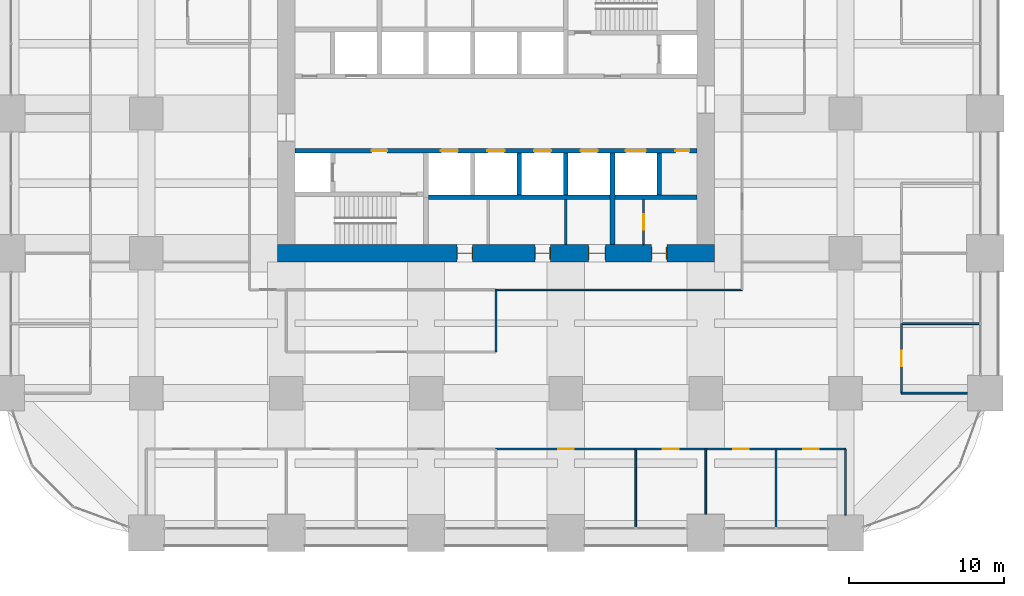
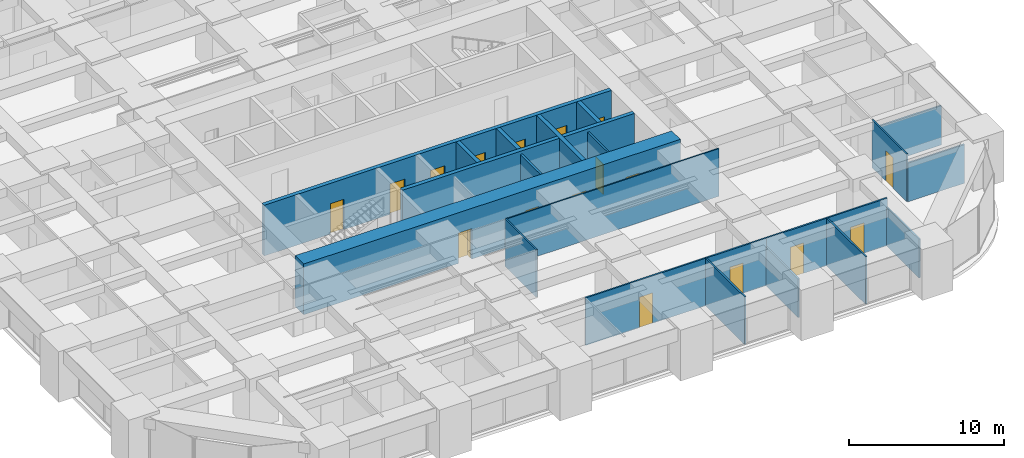
# One storey, part 40 of 45: 22 walls, 17 doors, 17 openings.
"""IFC4 building model written with IfcOpenShell, lengths in metres."""

from ifc_helpers import new_model, si_unit, direction, frame, frame_2d, origin, place, context, subcontext, project, spatial, rectangle, extrude, material, layer, layer_set, type_object, element, fill, save


model = new_model("IFC4")

# Units and contexts
model_context = context("Model", 3, precision=1e-05, world=origin(), true_north=direction((0.0, 1.0)))
body_context = subcontext(model_context, "Body", "Model", "MODEL_VIEW")
ifc_project = project(units=[si_unit("LENGTHUNIT", "METRE"), si_unit("AREAUNIT", "SQUARE_METRE"), si_unit("VOLUMEUNIT", "CUBIC_METRE"), si_unit("PLANEANGLEUNIT", "RADIAN"), si_unit("MASSUNIT", "GRAM", prefix="KILO")], contexts=[model_context])

# Site, building, storey
site_placement = place(None, origin())
site = spatial("IfcSite", under=ifc_project, at=site_placement, CompositionType="ELEMENT")
building_placement = place(site_placement, origin())
building = spatial("IfcBuilding", under=site, at=building_placement, Name="Zorevar Civic Tower", CompositionType="ELEMENT")
storey_placement = place(building_placement, frame((0.0, 0.0, 71.800048828125)))
storey = spatial("IfcBuildingStorey", under=building, at=storey_placement, Name="L17", CompositionType="ELEMENT", Elevation=71.800048828125)

# Wall, openings, doors
ifc_material_1 = material(Name="Concrete C50/60", Category="concrete")
ifc_layer_1 = layer(ifc_material_1, 1.10009765625)
ifc_layer_set_1 = layer_set([ifc_layer_1], Name="Core wall 1100")
wall_type_1 = type_object("IfcWallType", Name="Core wall 1100", PredefinedType="SHEAR", material=ifc_layer_set_1)
wall_1_placement = place(storey_placement, frame((17.449951171875, 18.0, 0.0), z_axis=(0.0, 0.0, 1.0), x_axis=(1.0, 0.0, 0.0)))
wall_1 = element("IfcWall", 1, at=wall_1_placement, inside=storey, type_object=wall_type_1, Name="Core wall S L17", PredefinedType="SHEAR", context=body_context, shape_type="SweptSolid", body=[
    extrude(rectangle(XDim=28.10009765625, YDim=1.10009765625, at=frame_2d((14.050048828125, 0.0))), origin(), (0.0, 0.0, 1.0), 4.0),
])
opening_1_placement = place(wall_1_placement, frame((11.550048828125, 0.0, 0.0)))
opening_1 = element("IfcOpeningElement", 2, at=opening_1_placement, cuts=wall_1, Name="Opening L17.03", PredefinedType="OPENING", context=body_context, shape_type="SweptSolid", body=[
    extrude(rectangle(XDim=1.0, YDim=2.39990234375, at=frame_2d((0.5, 1.199951171875))), frame((0.0, 0.56005859375, 0.0), z_axis=(0.0, -1.0, 0.0), x_axis=(1.0, 0.0, 0.0)), (0.0, 0.0, 1.0), 1.1201171875),
])
opening_2_placement = place(wall_1_placement, frame((16.550048828125, 0.0, 0.0)))
opening_2 = element("IfcOpeningElement", 3, at=opening_2_placement, cuts=wall_1, Name="Opening L17.04", PredefinedType="OPENING", context=body_context, shape_type="SweptSolid", body=[
    extrude(rectangle(XDim=1.0, YDim=2.39990234375, at=frame_2d((0.5, 1.199951171875))), frame((0.0, 0.56005859375, 0.0), z_axis=(0.0, -1.0, 0.0), x_axis=(1.0, 0.0, 0.0)), (0.0, 0.0, 1.0), 1.1201171875),
])
opening_3_placement = place(wall_1_placement, frame((20.0, 0.0, 0.0)))
opening_3 = element("IfcOpeningElement", 4, at=opening_3_placement, cuts=wall_1, Name="Opening L17.05", PredefinedType="OPENING", context=body_context, shape_type="SweptSolid", body=[
    extrude(rectangle(XDim=1.10009765625, YDim=2.39990234375, at=frame_2d((0.550048828125, 1.199951171875))), frame((0.0, 0.56005859375, 0.0), z_axis=(0.0, -1.0, 0.0), x_axis=(1.0, 0.0, 0.0)), (0.0, 0.0, 1.0), 1.1201171875),
])
opening_4_placement = place(wall_1_placement, frame((24.050048828125, 0.0, 0.0)))
opening_4 = element("IfcOpeningElement", 5, at=opening_4_placement, cuts=wall_1, Name="Opening L17.06", PredefinedType="OPENING", context=body_context, shape_type="SweptSolid", body=[
    extrude(rectangle(XDim=1.0, YDim=2.39990234375, at=frame_2d((0.5, 1.199951171875))), frame((0.0, 0.56005859375, 0.0), z_axis=(0.0, -1.0, 0.0), x_axis=(1.0, 0.0, 0.0)), (0.0, 0.0, 1.0), 1.1201171875),
])
ifc_material_2 = material(Name="Timber door set", Category="wood")
door_type_1 = type_object("IfcDoorType", Name="Door D1 1000x2400", OperationType="SINGLE_SWING_LEFT", PredefinedType="DOOR", material=ifc_material_2)
door_1_placement = place(opening_1_placement, origin())
door_1 = element("IfcDoor", 6, at=door_1_placement, inside=storey, type_object=door_type_1, Name="Door L17 02", OperationType="SINGLE_SWING_RIGHT", OverallHeight=2.39990234375, OverallWidth=1.0, PredefinedType="DOOR", context=body_context, shape_type="SweptSolid", body=[
    extrude(rectangle(XDim=1.0, YDim=2.39990234375, at=frame_2d((0.5, 1.199951171875))), frame((0.0, 0.02490234375, 0.0), z_axis=(0.0, -1.0, 0.0), x_axis=(1.0, 0.0, 0.0)), (0.0, 0.0, 1.0), 0.050048828125),
    extrude(rectangle(XDim=0.04, YDim=2.39990234375, at=frame_2d((0.02001953125, 1.199951171875))), frame((0.0, 0.39990234375, 0.0), z_axis=(0.0, -1.0, 0.0), x_axis=(1.0, 0.0, 0.0)), (0.0, 0.0, 1.0), 0.800048828125),
    extrude(rectangle(XDim=0.04, YDim=2.39990234375, at=frame_2d((0.97998046875, 1.199951171875))), frame((0.0, 0.39990234375, 0.0), z_axis=(0.0, -1.0, 0.0), x_axis=(1.0, 0.0, 0.0)), (0.0, 0.0, 1.0), 0.800048828125),
    extrude(rectangle(XDim=1.0, YDim=0.04, at=frame_2d((0.5, 2.3798828125))), frame((0.0, 0.39990234375, 0.0), z_axis=(0.0, -1.0, 0.0), x_axis=(1.0, 0.0, 0.0)), (0.0, 0.0, 1.0), 0.800048828125),
])
fill(opening_1, door_1)
door_2_placement = place(opening_2_placement, origin())
door_2 = element("IfcDoor", 7, at=door_2_placement, inside=storey, type_object=door_type_1, Name="Door L17 03", OperationType="SINGLE_SWING_LEFT", OverallHeight=2.39990234375, OverallWidth=1.0, PredefinedType="DOOR", context=body_context, shape_type="SweptSolid", body=[
    extrude(rectangle(XDim=1.0, YDim=2.39990234375, at=frame_2d((0.5, 1.199951171875))), frame((0.0, 0.02490234375, 0.0), z_axis=(0.0, -1.0, 0.0), x_axis=(1.0, 0.0, 0.0)), (0.0, 0.0, 1.0), 0.050048828125),
    extrude(rectangle(XDim=0.04, YDim=2.39990234375, at=frame_2d((0.02001953125, 1.199951171875))), frame((0.0, 0.39990234375, 0.0), z_axis=(0.0, -1.0, 0.0), x_axis=(1.0, 0.0, 0.0)), (0.0, 0.0, 1.0), 0.800048828125),
    extrude(rectangle(XDim=0.04, YDim=2.39990234375, at=frame_2d((0.97998046875, 1.199951171875))), frame((0.0, 0.39990234375, 0.0), z_axis=(0.0, -1.0, 0.0), x_axis=(1.0, 0.0, 0.0)), (0.0, 0.0, 1.0), 0.800048828125),
    extrude(rectangle(XDim=1.0, YDim=0.04, at=frame_2d((0.5, 2.3798828125))), frame((0.0, 0.39990234375, 0.0), z_axis=(0.0, -1.0, 0.0), x_axis=(1.0, 0.0, 0.0)), (0.0, 0.0, 1.0), 0.800048828125),
])
fill(opening_2, door_2)
door_3_placement = place(opening_4_placement, origin())
door_3 = element("IfcDoor", 8, at=door_3_placement, inside=storey, type_object=door_type_1, Name="Door L17 05", OperationType="SINGLE_SWING_LEFT", OverallHeight=2.39990234375, OverallWidth=1.0, PredefinedType="DOOR", context=body_context, shape_type="SweptSolid", body=[
    extrude(rectangle(XDim=1.0, YDim=2.39990234375, at=frame_2d((0.5, 1.199951171875))), frame((0.0, 0.02490234375, 0.0), z_axis=(0.0, -1.0, 0.0), x_axis=(1.0, 0.0, 0.0)), (0.0, 0.0, 1.0), 0.050048828125),
    extrude(rectangle(XDim=0.04, YDim=2.39990234375, at=frame_2d((0.02001953125, 1.199951171875))), frame((0.0, 0.39990234375, 0.0), z_axis=(0.0, -1.0, 0.0), x_axis=(1.0, 0.0, 0.0)), (0.0, 0.0, 1.0), 0.800048828125),
    extrude(rectangle(XDim=0.04, YDim=2.39990234375, at=frame_2d((0.97998046875, 1.199951171875))), frame((0.0, 0.39990234375, 0.0), z_axis=(0.0, -1.0, 0.0), x_axis=(1.0, 0.0, 0.0)), (0.0, 0.0, 1.0), 0.800048828125),
    extrude(rectangle(XDim=1.0, YDim=0.04, at=frame_2d((0.5, 2.3798828125))), frame((0.0, 0.39990234375, 0.0), z_axis=(0.0, -1.0, 0.0), x_axis=(1.0, 0.0, 0.0)), (0.0, 0.0, 1.0), 0.800048828125),
])
fill(opening_4, door_3)
ifc_material_3 = material(Name="Timber door set", Category="wood")
door_type_2 = type_object("IfcDoorType", Name="Door D5 1100x2400", OperationType="SINGLE_SWING_LEFT", PredefinedType="DOOR", material=ifc_material_3)
door_4_placement = place(opening_3_placement, origin())
door_4 = element("IfcDoor", 9, at=door_4_placement, inside=storey, type_object=door_type_2, Name="Door L17 04", OperationType="SINGLE_SWING_LEFT", OverallHeight=2.39990234375, OverallWidth=1.10009765625, PredefinedType="DOOR", context=body_context, shape_type="SweptSolid", body=[
    extrude(rectangle(XDim=1.10009765625, YDim=2.39990234375, at=frame_2d((0.550048828125, 1.199951171875))), frame((0.0, 0.02490234375, 0.0), z_axis=(0.0, -1.0, 0.0), x_axis=(1.0, 0.0, 0.0)), (0.0, 0.0, 1.0), 0.050048828125),
    extrude(rectangle(XDim=0.04, YDim=2.39990234375, at=frame_2d((0.02001953125, 1.199951171875))), frame((0.0, 0.43994140625, 0.0), z_axis=(0.0, -1.0, 0.0), x_axis=(1.0, 0.0, 0.0)), (0.0, 0.0, 1.0), 0.880126953125),
    extrude(rectangle(XDim=0.04, YDim=2.39990234375, at=frame_2d((1.080078125, 1.199951171875))), frame((0.0, 0.43994140625, 0.0), z_axis=(0.0, -1.0, 0.0), x_axis=(1.0, 0.0, 0.0)), (0.0, 0.0, 1.0), 0.880126953125),
    extrude(rectangle(XDim=1.10009765625, YDim=0.04, at=frame_2d((0.550048828125, 2.3798828125))), frame((0.0, 0.43994140625, 0.0), z_axis=(0.0, -1.0, 0.0), x_axis=(1.0, 0.0, 0.0)), (0.0, 0.0, 1.0), 0.880126953125),
])
fill(opening_3, door_4)

# Wall
ifc_material_4 = material(Name="Laminated glass in black aluminium frame", Category="aluminium")
ifc_layer_2 = layer(ifc_material_4, 0.10009765625)
ifc_layer_set_2 = layer_set([ifc_layer_2], Name="Glazed partition 100")
wall_type_2 = type_object("IfcWallType", Name="Glazed partition 100", PredefinedType="PARTITIONING", material=ifc_layer_set_2)
wall_2_placement = place(storey_placement, frame((31.5, 15.64990234375, 0.0), z_axis=(0.0, 0.0, 1.0), x_axis=(1.0, 0.0, 0.0)))
element("IfcWall", 10, at=wall_2_placement, inside=storey, type_object=wall_type_2, Name="Glazed partition 100 L17", PredefinedType="PARTITIONING", context=body_context, shape_type="SweptSolid", body=[
    extrude(rectangle(XDim=15.85009765625, YDim=0.10009765625, at=frame_2d((7.925048828125, 0.0))), origin(), (0.0, 0.0, 1.0), 3.75),
])

# Wall, openings, doors
ifc_material_5 = material(Name="Concrete C40/50", Category="concrete")
ifc_layer_3 = layer(ifc_material_5, 0.300048828125)
ifc_layer_set_3 = layer_set([ifc_layer_3], Name="Inner core wall 300")
wall_type_3 = type_object("IfcWallType", Name="Inner core wall 300", PredefinedType="SHEAR", material=ifc_layer_set_3)
wall_3_placement = place(storey_placement, frame((18.550048828125, 24.60009765625, 0.0), z_axis=(0.0, 0.0, 1.0), x_axis=(1.0, 0.0, 0.0)))
wall_3 = element("IfcWall", 11, at=wall_3_placement, inside=storey, type_object=wall_type_3, Name="Inner core wall S03 L17", PredefinedType="SHEAR", context=body_context, shape_type="SweptSolid", body=[
    extrude(rectangle(XDim=25.89990234375, YDim=0.300048828125, at=frame_2d((12.949951171875, 0.0))), origin(), (0.0, 0.0, 1.0), 4.0),
])
opening_5_placement = place(wall_3_placement, frame((4.949951171875, 0.0, 0.0)))
opening_5 = element("IfcOpeningElement", 12, at=opening_5_placement, cuts=wall_3, Name="Opening L17.13", PredefinedType="OPENING", context=body_context, shape_type="SweptSolid", body=[
    extrude(rectangle(XDim=1.0, YDim=2.39990234375, at=frame_2d((0.5, 1.199951171875))), frame((0.0, 0.159912109375, 0.0), z_axis=(0.0, -1.0, 0.0), x_axis=(1.0, 0.0, 0.0)), (0.0, 0.0, 1.0), 0.320068359375),
])
opening_6_placement = place(wall_3_placement, frame((24.5, 0.0, 0.0)))
opening_6 = element("IfcOpeningElement", 13, at=opening_6_placement, cuts=wall_3, Name="Opening L17.15", PredefinedType="OPENING", context=body_context, shape_type="SweptSolid", body=[
    extrude(rectangle(XDim=0.89990234375, YDim=2.10009765625, at=frame_2d((0.449951171875, 1.050048828125))), frame((0.0, 0.159912109375, 0.0), z_axis=(0.0, -1.0, 0.0), x_axis=(1.0, 0.0, 0.0)), (0.0, 0.0, 1.0), 0.320068359375),
])
opening_7_placement = place(wall_3_placement, frame((9.39990234375, 0.0, 0.0)))
opening_7 = element("IfcOpeningElement", 14, at=opening_7_placement, cuts=wall_3, Name="Opening L17.LP1", PredefinedType="OPENING", context=body_context, shape_type="SweptSolid", body=[
    extrude(rectangle(XDim=1.10009765625, YDim=2.39990234375, at=frame_2d((0.550048828125, 1.199951171875))), frame((0.0, 0.159912109375, 0.0), z_axis=(0.0, -1.0, 0.0), x_axis=(1.0, 0.0, 0.0)), (0.0, 0.0, 1.0), 0.320068359375),
])
opening_8_placement = place(wall_3_placement, frame((12.39990234375, 0.0, 0.0)))
opening_8 = element("IfcOpeningElement", 15, at=opening_8_placement, cuts=wall_3, Name="Opening L17.LP2", PredefinedType="OPENING", context=body_context, shape_type="SweptSolid", body=[
    extrude(rectangle(XDim=1.10009765625, YDim=2.39990234375, at=frame_2d((0.550048828125, 1.199951171875))), frame((0.0, 0.159912109375, 0.0), z_axis=(0.0, -1.0, 0.0), x_axis=(1.0, 0.0, 0.0)), (0.0, 0.0, 1.0), 0.320068359375),
])
opening_9_placement = place(wall_3_placement, frame((15.39990234375, 0.0, 0.0)))
opening_9 = element("IfcOpeningElement", 16, at=opening_9_placement, cuts=wall_3, Name="Opening L17.LP3", PredefinedType="OPENING", context=body_context, shape_type="SweptSolid", body=[
    extrude(rectangle(XDim=1.10009765625, YDim=2.39990234375, at=frame_2d((0.550048828125, 1.199951171875))), frame((0.0, 0.159912109375, 0.0), z_axis=(0.0, -1.0, 0.0), x_axis=(1.0, 0.0, 0.0)), (0.0, 0.0, 1.0), 0.320068359375),
])
opening_10_placement = place(wall_3_placement, frame((18.39990234375, 0.0, 0.0)))
opening_10 = element("IfcOpeningElement", 17, at=opening_10_placement, cuts=wall_3, Name="Opening L17.LP4", PredefinedType="OPENING", context=body_context, shape_type="SweptSolid", body=[
    extrude(rectangle(XDim=1.10009765625, YDim=2.39990234375, at=frame_2d((0.550048828125, 1.199951171875))), frame((0.0, 0.159912109375, 0.0), z_axis=(0.0, -1.0, 0.0), x_axis=(1.0, 0.0, 0.0)), (0.0, 0.0, 1.0), 0.320068359375),
])
opening_11_placement = place(wall_3_placement, frame((21.300048828125, 0.0, 0.0)))
opening_11 = element("IfcOpeningElement", 18, at=opening_11_placement, cuts=wall_3, Name="Opening L17.SL1", PredefinedType="OPENING", context=body_context, shape_type="SweptSolid", body=[
    extrude(rectangle(XDim=1.300048828125, YDim=2.39990234375, at=frame_2d((0.64990234375, 1.199951171875))), frame((0.0, 0.159912109375, 0.0), z_axis=(0.0, -1.0, 0.0), x_axis=(1.0, 0.0, 0.0)), (0.0, 0.0, 1.0), 0.320068359375),
])
ifc_material_6 = material(Name="Steel door set", Category="steel")
door_type_3 = type_object("IfcDoorType", Name="Fire door FD1 1000x2400", OperationType="SINGLE_SWING_LEFT", PredefinedType="DOOR", material=ifc_material_6)
door_5_placement = place(opening_5_placement, origin())
door_5 = element("IfcDoor", 19, at=door_5_placement, inside=storey, type_object=door_type_3, Name="Door L17 12", OperationType="SINGLE_SWING_RIGHT", OverallHeight=2.39990234375, OverallWidth=1.0, PredefinedType="DOOR", context=body_context, shape_type="SweptSolid", body=[
    extrude(rectangle(XDim=1.0, YDim=2.39990234375, at=frame_2d((0.5, 1.199951171875))), frame((0.0, 0.030029296875, 0.0), z_axis=(0.0, -1.0, 0.0), x_axis=(1.0, 0.0, 0.0)), (0.0, 0.0, 1.0), 0.06005859375),
])
fill(opening_5, door_5)
ifc_material_7 = material(Name="Steel door set", Category="steel")
door_type_4 = type_object("IfcDoorType", Name="Landing door LD1 1100x2400", OperationType="DOUBLE_DOOR_SLIDING", PredefinedType="DOOR", material=ifc_material_7)
door_6_placement = place(opening_7_placement, origin())
door_6 = element("IfcDoor", 20, at=door_6_placement, inside=storey, type_object=door_type_4, Name="Landing door LP1 L17", OperationType="DOUBLE_DOOR_SLIDING", OverallHeight=2.39990234375, OverallWidth=1.10009765625, PredefinedType="DOOR", context=body_context, shape_type="SweptSolid", body=[
    extrude(rectangle(XDim=1.10009765625, YDim=2.39990234375, at=frame_2d((0.550048828125, 1.199951171875))), frame((0.0, 0.02001953125, 0.0), z_axis=(0.0, -1.0, 0.0), x_axis=(1.0, 0.0, 0.0)), (0.0, 0.0, 1.0), 0.0400390625),
])
fill(opening_7, door_6)
door_7_placement = place(opening_8_placement, origin())
door_7 = element("IfcDoor", 21, at=door_7_placement, inside=storey, type_object=door_type_4, Name="Landing door LP2 L17", OperationType="DOUBLE_DOOR_SLIDING", OverallHeight=2.39990234375, OverallWidth=1.10009765625, PredefinedType="DOOR", context=body_context, shape_type="SweptSolid", body=[
    extrude(rectangle(XDim=1.10009765625, YDim=2.39990234375, at=frame_2d((0.550048828125, 1.199951171875))), frame((0.0, 0.02001953125, 0.0), z_axis=(0.0, -1.0, 0.0), x_axis=(1.0, 0.0, 0.0)), (0.0, 0.0, 1.0), 0.0400390625),
])
fill(opening_8, door_7)
door_8_placement = place(opening_9_placement, origin())
door_8 = element("IfcDoor", 22, at=door_8_placement, inside=storey, type_object=door_type_4, Name="Landing door LP3 L17", OperationType="DOUBLE_DOOR_SLIDING", OverallHeight=2.39990234375, OverallWidth=1.10009765625, PredefinedType="DOOR", context=body_context, shape_type="SweptSolid", body=[
    extrude(rectangle(XDim=1.10009765625, YDim=2.39990234375, at=frame_2d((0.550048828125, 1.199951171875))), frame((0.0, 0.02001953125, 0.0), z_axis=(0.0, -1.0, 0.0), x_axis=(1.0, 0.0, 0.0)), (0.0, 0.0, 1.0), 0.0400390625),
])
fill(opening_9, door_8)
door_9_placement = place(opening_10_placement, origin())
door_9 = element("IfcDoor", 23, at=door_9_placement, inside=storey, type_object=door_type_4, Name="Landing door LP4 L17", OperationType="DOUBLE_DOOR_SLIDING", OverallHeight=2.39990234375, OverallWidth=1.10009765625, PredefinedType="DOOR", context=body_context, shape_type="SweptSolid", body=[
    extrude(rectangle(XDim=1.10009765625, YDim=2.39990234375, at=frame_2d((0.550048828125, 1.199951171875))), frame((0.0, 0.02001953125, 0.0), z_axis=(0.0, -1.0, 0.0), x_axis=(1.0, 0.0, 0.0)), (0.0, 0.0, 1.0), 0.0400390625),
])
fill(opening_10, door_9)
ifc_material_8 = material(Name="Steel door set", Category="steel")
door_type_5 = type_object("IfcDoorType", Name="Landing door LD2 1300x2400", OperationType="DOUBLE_DOOR_SLIDING", PredefinedType="DOOR", material=ifc_material_8)
door_10_placement = place(opening_11_placement, origin())
door_10 = element("IfcDoor", 24, at=door_10_placement, inside=storey, type_object=door_type_5, Name="Landing door SL1 L17", OperationType="DOUBLE_DOOR_SLIDING", OverallHeight=2.39990234375, OverallWidth=1.300048828125, PredefinedType="DOOR", context=body_context, shape_type="SweptSolid", body=[
    extrude(rectangle(XDim=1.300048828125, YDim=2.39990234375, at=frame_2d((0.64990234375, 1.199951171875))), frame((0.0, 0.02001953125, 0.0), z_axis=(0.0, -1.0, 0.0), x_axis=(1.0, 0.0, 0.0)), (0.0, 0.0, 1.0), 0.0400390625),
])
fill(opening_11, door_10)
ifc_material_9 = material(Name="Steel door set", Category="steel")
door_type_6 = type_object("IfcDoorType", Name="Riser door RD1 900x2100", OperationType="SINGLE_SWING_LEFT", PredefinedType="DOOR", material=ifc_material_9)
door_11_placement = place(opening_6_placement, origin())
door_11 = element("IfcDoor", 25, at=door_11_placement, inside=storey, type_object=door_type_6, Name="Door L17 14", OperationType="SINGLE_SWING_RIGHT", OverallHeight=2.10009765625, OverallWidth=0.89990234375, PredefinedType="DOOR", context=body_context, shape_type="SweptSolid", body=[
    extrude(rectangle(XDim=0.89990234375, YDim=2.10009765625, at=frame_2d((0.449951171875, 1.050048828125))), frame((0.0, 0.030029296875, 0.0), z_axis=(0.0, -1.0, 0.0), x_axis=(1.0, 0.0, 0.0)), (0.0, 0.0, 1.0), 0.06005859375),
])
fill(opening_6, door_11)

# Walls
wall_4_placement = place(storey_placement, frame((27.14990234375, 21.60009765625, 0.0), z_axis=(0.0, 0.0, 1.0), x_axis=(1.0, 0.0, 0.0)))
element("IfcWall", 26, at=wall_4_placement, inside=storey, type_object=wall_type_3, Name="Inner core wall S04 L17", PredefinedType="SHEAR", context=body_context, shape_type="SweptSolid", body=[
    extrude(rectangle(XDim=17.300048828125, YDim=0.300048828125, at=frame_2d((8.64990234375, 0.0))), origin(), (0.0, 0.0, 1.0), 4.0),
])
for number, where, z_axis, x_axis, name in (
    (27, (33.0, 21.75, 0.0), (0.0, 0.0, 1.0), (0.0, 1.0, 0.0), "Inner core wall S06 L17"),
    (28, (36.0, 21.75, 0.0), (0.0, 0.0, 1.0), (0.0, 1.0, 0.0), "Inner core wall S07 L17"),
):
    element("IfcWall", number, at=place(storey_placement, frame(where, z_axis=z_axis, x_axis=x_axis)), inside=storey, type_object=wall_type_3, Name=name, PredefinedType="SHEAR", context=body_context, shape_type="SweptSolid", body=[
        extrude(rectangle(XDim=2.699951171875, YDim=0.300048828125, at=frame_2d((1.35009765625, 0.0))), origin(), (0.0, 0.0, 1.0), 4.0),
    ])
wall_5_placement = place(storey_placement, frame((39.0, 18.550048828125, 0.0), z_axis=(0.0, 0.0, 1.0), x_axis=(0.0, 1.0, 0.0)))
element("IfcWall", 29, at=wall_5_placement, inside=storey, type_object=wall_type_3, Name="Inner core wall S08 L17", PredefinedType="SHEAR", context=body_context, shape_type="SweptSolid", body=[
    extrude(rectangle(XDim=5.89990234375, YDim=0.300048828125, at=frame_2d((2.949951171875, 0.0))), origin(), (0.0, 0.0, 1.0), 4.0),
])
wall_6_placement = place(storey_placement, frame((42.0, 21.75, 0.0), z_axis=(0.0, 0.0, 1.0), x_axis=(0.0, 1.0, 0.0)))
element("IfcWall", 30, at=wall_6_placement, inside=storey, type_object=wall_type_3, Name="Inner core wall S09 L17", PredefinedType="SHEAR", context=body_context, shape_type="SweptSolid", body=[
    extrude(rectangle(XDim=2.699951171875, YDim=0.300048828125, at=frame_2d((1.35009765625, 0.0))), origin(), (0.0, 0.0, 1.0), 4.0),
])

# Wall, opening, door
ifc_material_10 = material(Name="Gypsum board on steel studs", Category="steel")
ifc_layer_4 = layer(ifc_material_10, 0.1201171875)
ifc_layer_set_4 = layer_set([ifc_layer_4], Name="Partition 120")
wall_type_4 = type_object("IfcWallType", Name="Partition 120", PredefinedType="PARTITIONING", material=ifc_layer_set_4)
wall_7_placement = place(storey_placement, frame((31.5, 5.39990234375, 0.0), z_axis=(0.0, 0.0, 1.0), x_axis=(1.0, 0.0, 0.0)))
wall_7 = element("IfcWall", 31, at=wall_7_placement, inside=storey, type_object=wall_type_4, Name="Partition 120 L17", PredefinedType="PARTITIONING", context=body_context, shape_type="SweptSolid", body=[
    extrude(rectangle(XDim=9.0, YDim=0.1201171875, at=frame_2d((4.5, 0.0))), origin(), (0.0, 0.0, 1.0), 3.75),
])
opening_12_placement = place(wall_7_placement, frame((4.0, 0.0, 0.0)))
opening_12 = element("IfcOpeningElement", 32, at=opening_12_placement, cuts=wall_7, Name="Opening L17.21", PredefinedType="OPENING", context=body_context, shape_type="SweptSolid", body=[
    extrude(rectangle(XDim=1.0, YDim=2.39990234375, at=frame_2d((0.5, 1.199951171875))), frame((0.0, 0.070068359375, 0.0), z_axis=(0.0, -1.0, 0.0), x_axis=(1.0, 0.0, 0.0)), (0.0, 0.0, 1.0), 0.14013671875),
])
door_12_placement = place(opening_12_placement, origin())
door_12 = element("IfcDoor", 33, at=door_12_placement, inside=storey, type_object=door_type_1, Name="Door L17 D1", OperationType="SINGLE_SWING_LEFT", OverallHeight=2.39990234375, OverallWidth=1.0, PredefinedType="DOOR", context=body_context, shape_type="SweptSolid", body=[
    extrude(rectangle(XDim=1.0, YDim=2.39990234375, at=frame_2d((0.5, 1.199951171875))), frame((0.0, 0.02490234375, 0.0), z_axis=(0.0, -1.0, 0.0), x_axis=(1.0, 0.0, 0.0)), (0.0, 0.0, 1.0), 0.050048828125),
])
fill(opening_12, door_12)

wall_8_placement = place(storey_placement, frame((40.5, 5.39990234375, 0.0), z_axis=(0.0, 0.0, 1.0), x_axis=(1.0, 0.0, 0.0)))
wall_8 = element("IfcWall", 34, at=wall_8_placement, inside=storey, type_object=wall_type_4, Name="Partition 120 L17", PredefinedType="PARTITIONING", context=body_context, shape_type="SweptSolid", body=[
    extrude(rectangle(XDim=4.5, YDim=0.1201171875, at=frame_2d((2.25, 0.0))), origin(), (0.0, 0.0, 1.0), 3.75),
])
opening_13_placement = place(wall_8_placement, frame((1.75, 0.0, 0.0)))
opening_13 = element("IfcOpeningElement", 35, at=opening_13_placement, cuts=wall_8, Name="Opening L17.22", PredefinedType="OPENING", context=body_context, shape_type="SweptSolid", body=[
    extrude(rectangle(XDim=1.0, YDim=2.39990234375, at=frame_2d((0.5, 1.199951171875))), frame((0.0, 0.070068359375, 0.0), z_axis=(0.0, -1.0, 0.0), x_axis=(1.0, 0.0, 0.0)), (0.0, 0.0, 1.0), 0.14013671875),
])
door_13_placement = place(opening_13_placement, origin())
door_13 = element("IfcDoor", 36, at=door_13_placement, inside=storey, type_object=door_type_1, Name="Door L17 D1", OperationType="SINGLE_SWING_LEFT", OverallHeight=2.39990234375, OverallWidth=1.0, PredefinedType="DOOR", context=body_context, shape_type="SweptSolid", body=[
    extrude(rectangle(XDim=1.0, YDim=2.39990234375, at=frame_2d((0.5, 1.199951171875))), frame((0.0, 0.02490234375, 0.0), z_axis=(0.0, -1.0, 0.0), x_axis=(1.0, 0.0, 0.0)), (0.0, 0.0, 1.0), 0.050048828125),
])
fill(opening_13, door_13)

wall_9_placement = place(storey_placement, frame((45.0, 5.39990234375, 0.0), z_axis=(0.0, 0.0, 1.0), x_axis=(1.0, 0.0, 0.0)))
wall_9 = element("IfcWall", 37, at=wall_9_placement, inside=storey, type_object=wall_type_4, Name="Partition 120 L17", PredefinedType="PARTITIONING", context=body_context, shape_type="SweptSolid", body=[
    extrude(rectangle(XDim=4.52490234375, YDim=0.1201171875, at=frame_2d((2.262451171875, 0.0))), origin(), (0.0, 0.0, 1.0), 3.75),
])
opening_14_placement = place(wall_9_placement, frame((1.762939453125, 0.0, 0.0)))
opening_14 = element("IfcOpeningElement", 38, at=opening_14_placement, cuts=wall_9, Name="Opening L17.23", PredefinedType="OPENING", context=body_context, shape_type="SweptSolid", body=[
    extrude(rectangle(XDim=1.0, YDim=2.39990234375, at=frame_2d((0.5, 1.199951171875))), frame((0.0, 0.070068359375, 0.0), z_axis=(0.0, -1.0, 0.0), x_axis=(1.0, 0.0, 0.0)), (0.0, 0.0, 1.0), 0.14013671875),
])
door_14_placement = place(opening_14_placement, origin())
door_14 = element("IfcDoor", 39, at=door_14_placement, inside=storey, type_object=door_type_1, Name="Door L17 D1", OperationType="SINGLE_SWING_LEFT", OverallHeight=2.39990234375, OverallWidth=1.0, PredefinedType="DOOR", context=body_context, shape_type="SweptSolid", body=[
    extrude(rectangle(XDim=1.0, YDim=2.39990234375, at=frame_2d((0.5, 1.199951171875))), frame((0.0, 0.02490234375, 0.0), z_axis=(0.0, -1.0, 0.0), x_axis=(1.0, 0.0, 0.0)), (0.0, 0.0, 1.0), 0.050048828125),
])
fill(opening_14, door_14)

wall_10_placement = place(storey_placement, frame((49.52490234375, 5.39990234375, 0.0), z_axis=(0.0, 0.0, 1.0), x_axis=(1.0, 0.0, 0.0)))
wall_10 = element("IfcWall", 40, at=wall_10_placement, inside=storey, type_object=wall_type_4, Name="Partition 120 L17", PredefinedType="PARTITIONING", context=body_context, shape_type="SweptSolid", body=[
    extrude(rectangle(XDim=4.47509765625, YDim=0.1201171875, at=frame_2d((2.237548828125, 0.0))), origin(), (0.0, 0.0, 1.0), 3.75),
])
opening_15_placement = place(wall_10_placement, frame((1.738037109375, 0.0, 0.0)))
opening_15 = element("IfcOpeningElement", 41, at=opening_15_placement, cuts=wall_10, Name="Opening L17.24", PredefinedType="OPENING", context=body_context, shape_type="SweptSolid", body=[
    extrude(rectangle(XDim=1.0, YDim=2.39990234375, at=frame_2d((0.5, 1.199951171875))), frame((0.0, 0.070068359375, 0.0), z_axis=(0.0, -1.0, 0.0), x_axis=(1.0, 0.0, 0.0)), (0.0, 0.0, 1.0), 0.14013671875),
])
door_15_placement = place(opening_15_placement, origin())
door_15 = element("IfcDoor", 42, at=door_15_placement, inside=storey, type_object=door_type_1, Name="Door L17 D1", OperationType="SINGLE_SWING_LEFT", OverallHeight=2.39990234375, OverallWidth=1.0, PredefinedType="DOOR", context=body_context, shape_type="SweptSolid", body=[
    extrude(rectangle(XDim=1.0, YDim=2.39990234375, at=frame_2d((0.5, 1.199951171875))), frame((0.0, 0.02490234375, 0.0), z_axis=(0.0, -1.0, 0.0), x_axis=(1.0, 0.0, 0.0)), (0.0, 0.0, 1.0), 0.050048828125),
])
fill(opening_15, door_15)

# Walls
wall_11_placement = place(storey_placement, frame((57.60009765625, 9.0, 0.0), z_axis=(0.0, 0.0, 1.0), x_axis=(1.0, 0.0, 0.0)))
element("IfcWall", 43, at=wall_11_placement, inside=storey, type_object=wall_type_4, Name="Partition 120 L17", PredefinedType="PARTITIONING", context=body_context, shape_type="SweptSolid", body=[
    extrude(rectangle(XDim=4.25, YDim=0.1201171875, at=frame_2d((2.125, 0.0))), origin(), (0.0, 0.0, 1.0), 3.050048828125),
])
wall_12_placement = place(storey_placement, frame((57.60009765625, 13.47509765625, 0.0), z_axis=(0.0, 0.0, 1.0), x_axis=(1.0, 0.0, 0.0)))
element("IfcWall", 44, at=wall_12_placement, inside=storey, type_object=wall_type_4, Name="Partition 120 L17", PredefinedType="PARTITIONING", context=body_context, shape_type="SweptSolid", body=[
    extrude(rectangle(XDim=5.08984375, YDim=0.1201171875, at=frame_2d((2.544921875, 0.0))), origin(), (0.0, 0.0, 1.0), 3.099853515625),
])
wall_13_placement = place(storey_placement, frame((31.5, 11.64990234375, 0.0), z_axis=(0.0, 0.0, 1.0), x_axis=(0.0, 1.0, 0.0)))
element("IfcWall", 45, at=wall_13_placement, inside=storey, type_object=wall_type_4, Name="Partition 120 L17", PredefinedType="PARTITIONING", context=body_context, shape_type="SweptSolid", body=[
    extrude(rectangle(XDim=4.0, YDim=0.1201171875, at=frame_2d((2.0, 0.0))), origin(), (0.0, 0.0, 1.0), 3.75),
])
wall_14_placement = place(storey_placement, frame((40.5, 0.31005859375, 0.0), z_axis=(0.0, 0.0, 1.0), x_axis=(0.0, 1.0, 0.0)))
element("IfcWall", 46, at=wall_14_placement, inside=storey, type_object=wall_type_4, Name="Partition 120 L17", PredefinedType="PARTITIONING", context=body_context, shape_type="SweptSolid", body=[
    extrude(rectangle(XDim=5.08984375, YDim=0.1201171875, at=frame_2d((2.544921875, 0.0))), origin(), (0.0, 0.0, 1.0), 3.75),
])
wall_15_placement = place(storey_placement, frame((45.0, 1.199951171875, 0.0), z_axis=(0.0, 0.0, 1.0), x_axis=(0.0, 1.0, 0.0)))
element("IfcWall", 47, at=wall_15_placement, inside=storey, type_object=wall_type_4, Name="Partition 120 L17", PredefinedType="PARTITIONING", context=body_context, shape_type="SweptSolid", body=[
    extrude(rectangle(XDim=4.199951171875, YDim=0.1201171875, at=frame_2d((2.10009765625, 0.0))), origin(), (0.0, 0.0, 1.0), 3.050048828125),
])
wall_16_placement = place(storey_placement, frame((49.52490234375, 0.31005859375, 0.0), z_axis=(0.0, 0.0, 1.0), x_axis=(0.0, 1.0, 0.0)))
element("IfcWall", 48, at=wall_16_placement, inside=storey, type_object=wall_type_4, Name="Partition 120 L17", PredefinedType="PARTITIONING", context=body_context, shape_type="SweptSolid", body=[
    extrude(rectangle(XDim=5.08984375, YDim=0.1201171875, at=frame_2d((2.544921875, 0.0))), origin(), (0.0, 0.0, 1.0), 3.75),
])
wall_17_placement = place(storey_placement, frame((54.0, 1.14990234375, 0.0), z_axis=(0.0, 0.0, 1.0), x_axis=(0.0, 1.0, 0.0)))
element("IfcWall", 49, at=wall_17_placement, inside=storey, type_object=wall_type_4, Name="Partition 120 L17", PredefinedType="PARTITIONING", context=body_context, shape_type="SweptSolid", body=[
    extrude(rectangle(XDim=4.25, YDim=0.1201171875, at=frame_2d((2.125, 0.0))), origin(), (0.0, 0.0, 1.0), 3.050048828125),
])

# Wall, opening, door
wall_18_placement = place(storey_placement, frame((57.60009765625, 9.0, 0.0), z_axis=(0.0, 0.0, 1.0), x_axis=(0.0, 1.0, 0.0)))
wall_18 = element("IfcWall", 50, at=wall_18_placement, inside=storey, type_object=wall_type_4, Name="Partition 120 L17", PredefinedType="PARTITIONING", context=body_context, shape_type="SweptSolid", body=[
    extrude(rectangle(XDim=4.47509765625, YDim=0.1201171875, at=frame_2d((2.237548828125, 0.0))), origin(), (0.0, 0.0, 1.0), 3.75),
])
opening_16_placement = place(wall_18_placement, frame((1.738037109375, 0.0, 0.0)))
opening_16 = element("IfcOpeningElement", 51, at=opening_16_placement, cuts=wall_18, Name="Opening L17.47", PredefinedType="OPENING", context=body_context, shape_type="SweptSolid", body=[
    extrude(rectangle(XDim=1.0, YDim=2.39990234375, at=frame_2d((0.5, 1.199951171875))), frame((0.0, 0.070068359375, 0.0), z_axis=(0.0, -1.0, 0.0), x_axis=(1.0, 0.0, 0.0)), (0.0, 0.0, 1.0), 0.14013671875),
])
door_16_placement = place(opening_16_placement, origin())
door_16 = element("IfcDoor", 52, at=door_16_placement, inside=storey, type_object=door_type_1, Name="Door L17 D1", OperationType="SINGLE_SWING_LEFT", OverallHeight=2.39990234375, OverallWidth=1.0, PredefinedType="DOOR", context=body_context, shape_type="SweptSolid", body=[
    extrude(rectangle(XDim=1.0, YDim=2.39990234375, at=frame_2d((0.5, 1.199951171875))), frame((0.0, 0.02490234375, 0.0), z_axis=(0.0, -1.0, 0.0), x_axis=(1.0, 0.0, 0.0)), (0.0, 0.0, 1.0), 0.050048828125),
])
fill(opening_16, door_16)

wall_19_placement = place(storey_placement, frame((41.0, 18.550048828125, 0.0), z_axis=(0.0, 0.0, 1.0), x_axis=(0.0, 1.0, 0.0)))
wall_19 = element("IfcWall", 53, at=wall_19_placement, inside=storey, type_object=wall_type_4, Name="Partition L17", PredefinedType="PARTITIONING", context=body_context, shape_type="SweptSolid", body=[
    extrude(rectangle(XDim=2.89990234375, YDim=0.1201171875, at=frame_2d((1.449951171875, 0.0))), origin(), (0.0, 0.0, 1.0), 3.75),
])
opening_17_placement = place(wall_19_placement, frame((0.949951171875, 0.0, 0.0)))
opening_17 = element("IfcOpeningElement", 54, at=opening_17_placement, cuts=wall_19, Name="Opening L17.53", PredefinedType="OPENING", context=body_context, shape_type="SweptSolid", body=[
    extrude(rectangle(XDim=1.0, YDim=2.39990234375, at=frame_2d((0.5, 1.199951171875))), frame((0.0, 0.070068359375, 0.0), z_axis=(0.0, -1.0, 0.0), x_axis=(1.0, 0.0, 0.0)), (0.0, 0.0, 1.0), 0.14013671875),
])
door_17_placement = place(opening_17_placement, origin())
door_17 = element("IfcDoor", 55, at=door_17_placement, inside=storey, type_object=door_type_3, Name="Door L17 ES", OperationType="SINGLE_SWING_RIGHT", OverallHeight=2.39990234375, OverallWidth=1.0, PredefinedType="DOOR", context=body_context, shape_type="SweptSolid", body=[
    extrude(rectangle(XDim=1.0, YDim=2.39990234375, at=frame_2d((0.5, 1.199951171875))), frame((0.0, 0.030029296875, 0.0), z_axis=(0.0, -1.0, 0.0), x_axis=(1.0, 0.0, 0.0)), (0.0, 0.0, 1.0), 0.06005859375),
])
fill(opening_17, door_17)

# Wall
ifc_material_11 = material(Name="Gypsum board on steel studs, moisture resistant", Category="steel")
ifc_layer_5 = layer(ifc_material_11, 0.14990234375)
ifc_layer_set_5 = layer_set([ifc_layer_5], Name="WC partition 150")
wall_type_5 = type_object("IfcWallType", Name="WC partition 150", PredefinedType="PARTITIONING", material=ifc_layer_set_5)
wall_20_placement = place(storey_placement, frame((36.0, 18.550048828125, 0.0), z_axis=(0.0, 0.0, 1.0), x_axis=(0.0, 1.0, 0.0)))
element("IfcWall", 56, at=wall_20_placement, inside=storey, type_object=wall_type_5, Name="WC partition L17", PredefinedType="PARTITIONING", context=body_context, shape_type="SweptSolid", body=[
    extrude(rectangle(XDim=2.89990234375, YDim=0.14990234375, at=frame_2d((1.449951171875, 0.0))), origin(), (0.0, 0.0, 1.0), 3.75),
])

save(model, "model.ifc")
